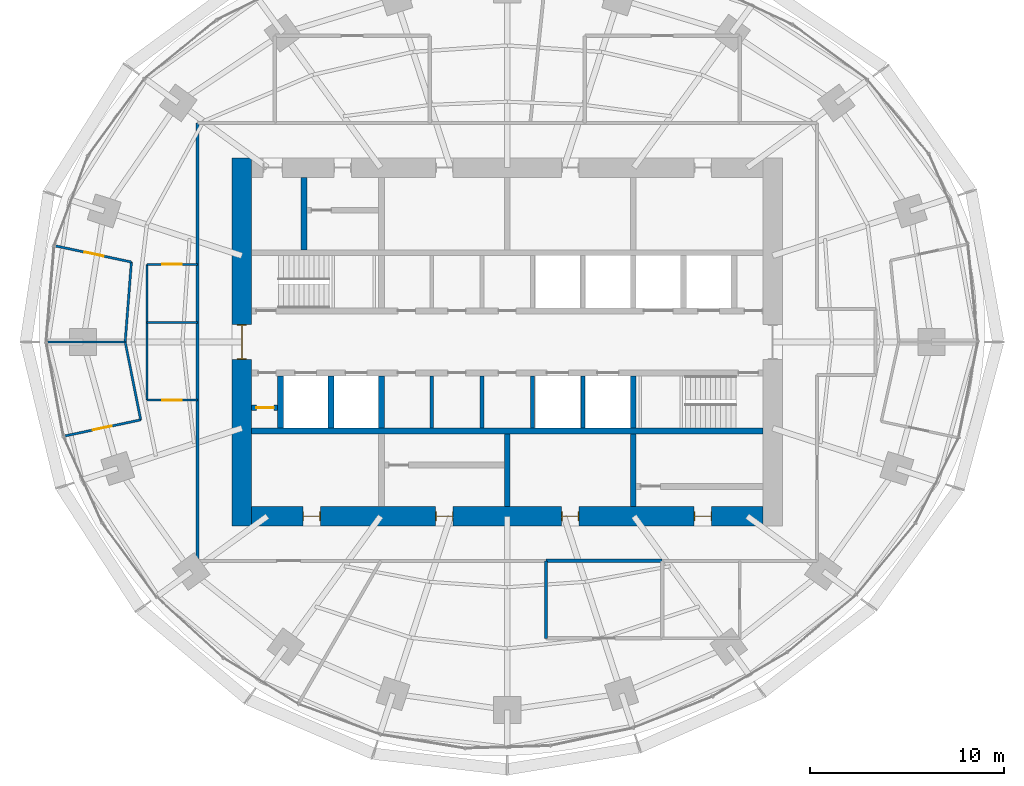
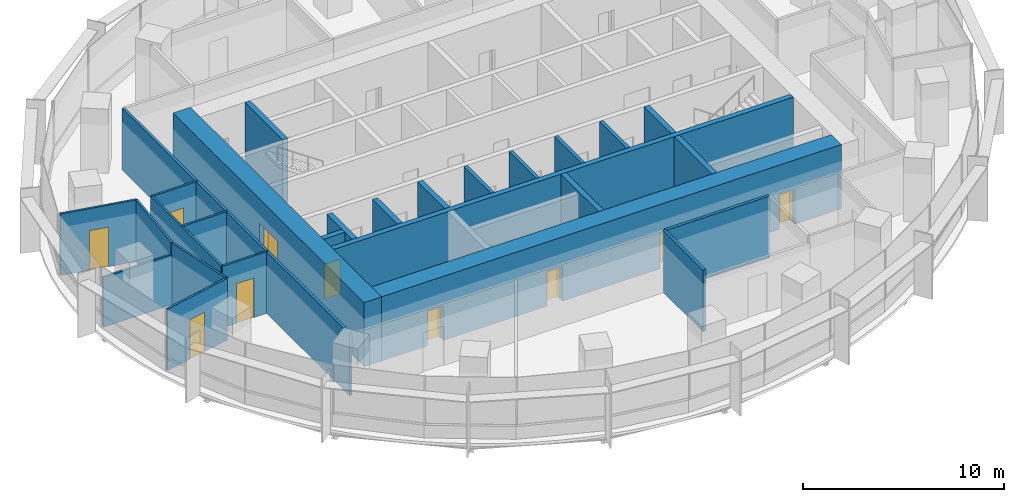
# One storey, part 10 of 14: 27 walls, 10 doors, 10 openings.
"""IFC4 building model written with IfcOpenShell, lengths in metres."""

from ifc_helpers import new_model, si_unit, direction, frame, frame_2d, origin, place, context, subcontext, project, spatial, rectangle, extrude, material, layer, layer_set, type_object, element, fill, save


model = new_model("IFC4")

# Units and contexts
model_context = context("Model", 3, precision=1e-05, world=origin(), true_north=direction((0.0, 1.0)))
body_context = subcontext(model_context, "Body", "Model", "MODEL_VIEW")
ifc_project = project(units=[si_unit("LENGTHUNIT", "METRE"), si_unit("AREAUNIT", "SQUARE_METRE"), si_unit("VOLUMEUNIT", "CUBIC_METRE"), si_unit("PLANEANGLEUNIT", "RADIAN"), si_unit("MASSUNIT", "GRAM", prefix="KILO")], contexts=[model_context])

# Site, building, storey
site_placement = place(None, origin())
site = spatial("IfcSite", under=ifc_project, at=site_placement, CompositionType="ELEMENT")
building_placement = place(site_placement, origin())
building = spatial("IfcBuilding", under=site, at=building_placement, Name="Marramba Exchange Tower", CompositionType="ELEMENT")
storey_placement = place(building_placement, frame((0.0, 0.0, 176.0)))
storey = spatial("IfcBuildingStorey", under=building, at=storey_placement, Name="L42", CompositionType="ELEMENT", Elevation=176.0)

# Walls
ifc_material_1 = material(Name="Plasterboard on staggered double steel studs, acoustic insulation", Category="steel")
ifc_layer_1 = layer(ifc_material_1, 0.169921875)
ifc_layer_set_1 = layer_set([ifc_layer_1], Name="Acoustic partition 170")
wall_type_1 = type_object("IfcWallType", Name="Acoustic partition 170", PredefinedType="PARTITIONING", material=ifc_layer_set_1)
wall_1_placement = place(storey_placement, frame((2.0, -11.300048828125, 0.0), z_axis=(0.0, 0.0, 1.0), x_axis=(0.0, -1.0, 0.0)))
element("IfcWall", 1, at=wall_1_placement, inside=storey, type_object=wall_type_1, Name="Acoustic partition L42 06", PredefinedType="PARTITIONING", context=body_context, shape_type="SweptSolid", body=[
    extrude(rectangle(XDim=4.0, YDim=0.169921875, at=frame_2d((2.0, 0.0))), origin(), (0.0, 0.0, 1.0), 3.739990234375),
])
wall_2_placement = place(storey_placement, frame((8.0, -11.300048828125, 0.0), z_axis=(0.0, 0.0, 1.0), x_axis=(-1.0, 0.0, 0.0)))
element("IfcWall", 2, at=wall_2_placement, inside=storey, type_object=wall_type_1, Name="Acoustic partition L42 08", PredefinedType="PARTITIONING", context=body_context, shape_type="SweptSolid", body=[
    extrude(rectangle(XDim=6.0, YDim=0.169921875, at=frame_2d((3.0, 0.0))), origin(), (0.0, 0.0, 1.0), 3.739990234375),
])
ifc_material_2 = material(Name="Concrete N50", Category="concrete")
ifc_layer_2 = layer(ifc_material_2, 0.199951171875)
ifc_layer_set_2 = layer_set([ifc_layer_2], Name="Core shaft wall 200")
wall_type_2 = type_object("IfcWallType", Name="Core shaft wall 200", PredefinedType="SHEAR", material=ifc_layer_set_2)
for number, where, z_axis, x_axis, name in (
    (3, (-3.89990234375, -1.75, 0.0), (0.0, 0.0, 1.0), (0.0, -1.0, 0.0), "Core wall SHS1 L42"),
    (4, (-1.300048828125, -1.75, 0.0), (0.0, 0.0, 1.0), (0.0, -1.0, 0.0), "Core wall SHS2 L42"),
    (5, (1.300048828125, -1.75, 0.0), (0.0, 0.0, 1.0), (0.0, -1.0, 0.0), "Core wall SHS3 L42"),
    (6, (3.89990234375, -1.75, 0.0), (0.0, 0.0, 1.0), (0.0, -1.0, 0.0), "Core wall SHS4 L42"),
):
    element("IfcWall", number, at=place(storey_placement, frame(where, z_axis=z_axis, x_axis=x_axis)), inside=storey, type_object=wall_type_2, Name=name, PredefinedType="SHEAR", context=body_context, shape_type="SweptSolid", body=[
        extrude(rectangle(XDim=2.699951171875, YDim=0.199951171875, at=frame_2d((1.35009765625, 0.0))), origin(), (0.0, 0.0, 1.0), 3.89990234375),
    ])

# Wall, openings, doors
ifc_layer_3 = layer(ifc_material_2, 1.0)
ifc_layer_set_3 = layer_set([ifc_layer_3], Name="Core wall 1000")
wall_type_3 = type_object("IfcWallType", Name="Core wall 1000", PredefinedType="SHEAR", material=ifc_layer_set_3)
wall_3_placement = place(storey_placement, frame((-13.199951171875, -9.0, 0.0), z_axis=(0.0, 0.0, 1.0), x_axis=(1.0, 0.0, 0.0)))
wall_3 = element("IfcWall", 7, at=wall_3_placement, inside=storey, type_object=wall_type_3, Name="Core wall S L42", PredefinedType="SHEAR", context=body_context, shape_type="SweptSolid", body=[
    extrude(rectangle(XDim=26.39990234375, YDim=1.0, at=frame_2d((13.199951171875, 0.0))), origin(), (0.0, 0.0, 1.0), 3.89990234375),
])
opening_1_placement = place(wall_3_placement, frame((2.64990234375, 0.0, 0.0)))
opening_1 = element("IfcOpeningElement", 8, at=opening_1_placement, cuts=wall_3, Name="Opening D5", PredefinedType="OPENING", context=body_context, shape_type="SweptSolid", body=[
    extrude(rectangle(XDim=0.89990234375, YDim=2.10009765625, at=frame_2d((0.449951171875, 1.050048828125))), frame((0.0, 0.510009765625, 0.0), z_axis=(0.0, -1.0, 0.0), x_axis=(1.0, 0.0, 0.0)), (0.0, 0.0, 1.0), 1.02001953125),
])
opening_2_placement = place(wall_3_placement, frame((9.5, 0.0, 0.0)))
opening_2 = element("IfcOpeningElement", 9, at=opening_2_placement, cuts=wall_3, Name="Opening D5", PredefinedType="OPENING", context=body_context, shape_type="SweptSolid", body=[
    extrude(rectangle(XDim=0.89990234375, YDim=2.10009765625, at=frame_2d((0.449951171875, 1.050048828125))), frame((0.0, 0.510009765625, 0.0), z_axis=(0.0, -1.0, 0.0), x_axis=(1.0, 0.0, 0.0)), (0.0, 0.0, 1.0), 1.02001953125),
])
opening_3_placement = place(wall_3_placement, frame((16.0, 0.0, 0.0)))
opening_3 = element("IfcOpeningElement", 10, at=opening_3_placement, cuts=wall_3, Name="Opening D5", PredefinedType="OPENING", context=body_context, shape_type="SweptSolid", body=[
    extrude(rectangle(XDim=0.89990234375, YDim=2.10009765625, at=frame_2d((0.449951171875, 1.050048828125))), frame((0.0, 0.510009765625, 0.0), z_axis=(0.0, -1.0, 0.0), x_axis=(1.0, 0.0, 0.0)), (0.0, 0.0, 1.0), 1.02001953125),
])
opening_4_placement = place(wall_3_placement, frame((22.85009765625, 0.0, 0.0)))
opening_4 = element("IfcOpeningElement", 11, at=opening_4_placement, cuts=wall_3, Name="Opening D5", PredefinedType="OPENING", context=body_context, shape_type="SweptSolid", body=[
    extrude(rectangle(XDim=0.89990234375, YDim=2.10009765625, at=frame_2d((0.449951171875, 1.050048828125))), frame((0.0, 0.510009765625, 0.0), z_axis=(0.0, -1.0, 0.0), x_axis=(1.0, 0.0, 0.0)), (0.0, 0.0, 1.0), 1.02001953125),
])
ifc_material_3 = material(Name="Steel-framed door", Category="steel")
door_type_1 = type_object("IfcDoorType", Name="Service door 900x2100", OperationType="SINGLE_SWING_LEFT", PredefinedType="DOOR", material=ifc_material_3)
door_1_placement = place(opening_1_placement, origin())
door_1 = element("IfcDoor", 12, at=door_1_placement, inside=storey, type_object=door_type_1, Name="D5 ahu L42", OperationType="SINGLE_SWING_LEFT", OverallHeight=2.10009765625, OverallWidth=0.89990234375, PredefinedType="DOOR", context=body_context, shape_type="SweptSolid", body=[
    extrude(rectangle(XDim=0.81982421875, YDim=2.06005859375, at=frame_2d((0.449951171875, 1.030029296875))), frame((0.0, 0.02490234375, 0.0), z_axis=(0.0, -1.0, 0.0), x_axis=(1.0, 0.0, 0.0)), (0.0, 0.0, 1.0), 0.050048828125),
    extrude(rectangle(XDim=0.04, YDim=2.10009765625, at=frame_2d((0.02001953125, 1.050048828125))), frame((0.0, 0.25, 0.0), z_axis=(0.0, -1.0, 0.0), x_axis=(1.0, 0.0, 0.0)), (0.0, 0.0, 1.0), 0.5),
    extrude(rectangle(XDim=0.04, YDim=2.10009765625, at=frame_2d((0.8798828125, 1.050048828125))), frame((0.0, 0.25, 0.0), z_axis=(0.0, -1.0, 0.0), x_axis=(1.0, 0.0, 0.0)), (0.0, 0.0, 1.0), 0.5),
    extrude(rectangle(XDim=0.81982421875, YDim=0.04, at=frame_2d((0.449951171875, 2.080078125))), frame((0.0, 0.25, 0.0), z_axis=(0.0, -1.0, 0.0), x_axis=(1.0, 0.0, 0.0)), (0.0, 0.0, 1.0), 0.5),
])
fill(opening_1, door_1)
door_2_placement = place(opening_2_placement, origin())
door_2 = element("IfcDoor", 13, at=door_2_placement, inside=storey, type_object=door_type_1, Name="D5 store L42", OperationType="SINGLE_SWING_RIGHT", OverallHeight=2.10009765625, OverallWidth=0.89990234375, PredefinedType="DOOR", context=body_context, shape_type="SweptSolid", body=[
    extrude(rectangle(XDim=0.81982421875, YDim=2.06005859375, at=frame_2d((0.449951171875, 1.030029296875))), frame((0.0, 0.02490234375, 0.0), z_axis=(0.0, -1.0, 0.0), x_axis=(1.0, 0.0, 0.0)), (0.0, 0.0, 1.0), 0.050048828125),
    extrude(rectangle(XDim=0.04, YDim=2.10009765625, at=frame_2d((0.02001953125, 1.050048828125))), frame((0.0, 0.25, 0.0), z_axis=(0.0, -1.0, 0.0), x_axis=(1.0, 0.0, 0.0)), (0.0, 0.0, 1.0), 0.5),
    extrude(rectangle(XDim=0.04, YDim=2.10009765625, at=frame_2d((0.8798828125, 1.050048828125))), frame((0.0, 0.25, 0.0), z_axis=(0.0, -1.0, 0.0), x_axis=(1.0, 0.0, 0.0)), (0.0, 0.0, 1.0), 0.5),
    extrude(rectangle(XDim=0.81982421875, YDim=0.04, at=frame_2d((0.449951171875, 2.080078125))), frame((0.0, 0.25, 0.0), z_axis=(0.0, -1.0, 0.0), x_axis=(1.0, 0.0, 0.0)), (0.0, 0.0, 1.0), 0.5),
])
fill(opening_2, door_2)
door_3_placement = place(opening_3_placement, origin())
door_3 = element("IfcDoor", 14, at=door_3_placement, inside=storey, type_object=door_type_1, Name="D5 switch L42", OperationType="SINGLE_SWING_RIGHT", OverallHeight=2.10009765625, OverallWidth=0.89990234375, PredefinedType="DOOR", context=body_context, shape_type="SweptSolid", body=[
    extrude(rectangle(XDim=0.81982421875, YDim=2.06005859375, at=frame_2d((0.449951171875, 1.030029296875))), frame((0.0, 0.02490234375, 0.0), z_axis=(0.0, -1.0, 0.0), x_axis=(1.0, 0.0, 0.0)), (0.0, 0.0, 1.0), 0.050048828125),
    extrude(rectangle(XDim=0.04, YDim=2.10009765625, at=frame_2d((0.02001953125, 1.050048828125))), frame((0.0, 0.25, 0.0), z_axis=(0.0, -1.0, 0.0), x_axis=(1.0, 0.0, 0.0)), (0.0, 0.0, 1.0), 0.5),
    extrude(rectangle(XDim=0.04, YDim=2.10009765625, at=frame_2d((0.8798828125, 1.050048828125))), frame((0.0, 0.25, 0.0), z_axis=(0.0, -1.0, 0.0), x_axis=(1.0, 0.0, 0.0)), (0.0, 0.0, 1.0), 0.5),
    extrude(rectangle(XDim=0.81982421875, YDim=0.04, at=frame_2d((0.449951171875, 2.080078125))), frame((0.0, 0.25, 0.0), z_axis=(0.0, -1.0, 0.0), x_axis=(1.0, 0.0, 0.0)), (0.0, 0.0, 1.0), 0.5),
])
fill(opening_3, door_3)
door_4_placement = place(opening_4_placement, origin())
door_4 = element("IfcDoor", 15, at=door_4_placement, inside=storey, type_object=door_type_1, Name="D5 cstore L42", OperationType="SINGLE_SWING_RIGHT", OverallHeight=2.10009765625, OverallWidth=0.89990234375, PredefinedType="DOOR", context=body_context, shape_type="SweptSolid", body=[
    extrude(rectangle(XDim=0.81982421875, YDim=2.06005859375, at=frame_2d((0.449951171875, 1.030029296875))), frame((0.0, 0.02490234375, 0.0), z_axis=(0.0, -1.0, 0.0), x_axis=(1.0, 0.0, 0.0)), (0.0, 0.0, 1.0), 0.050048828125),
    extrude(rectangle(XDim=0.04, YDim=2.10009765625, at=frame_2d((0.02001953125, 1.050048828125))), frame((0.0, 0.25, 0.0), z_axis=(0.0, -1.0, 0.0), x_axis=(1.0, 0.0, 0.0)), (0.0, 0.0, 1.0), 0.5),
    extrude(rectangle(XDim=0.04, YDim=2.10009765625, at=frame_2d((0.8798828125, 1.050048828125))), frame((0.0, 0.25, 0.0), z_axis=(0.0, -1.0, 0.0), x_axis=(1.0, 0.0, 0.0)), (0.0, 0.0, 1.0), 0.5),
    extrude(rectangle(XDim=0.81982421875, YDim=0.04, at=frame_2d((0.449951171875, 2.080078125))), frame((0.0, 0.25, 0.0), z_axis=(0.0, -1.0, 0.0), x_axis=(1.0, 0.0, 0.0)), (0.0, 0.0, 1.0), 0.5),
])
fill(opening_4, door_4)

# Wall, opening, door
wall_4_placement = place(storey_placement, frame((-13.699951171875, 9.5, 0.0), z_axis=(0.0, 0.0, 1.0), x_axis=(0.0, -1.0, 0.0)))
wall_4 = element("IfcWall", 16, at=wall_4_placement, inside=storey, type_object=wall_type_3, Name="Core wall W L42", PredefinedType="SHEAR", context=body_context, shape_type="SweptSolid", body=[
    extrude(rectangle(XDim=19.0, YDim=1.0, at=frame_2d((9.5, 0.0))), origin(), (0.0, 0.0, 1.0), 3.89990234375),
])
opening_5_placement = place(wall_4_placement, frame((8.60009765625, 0.0, 0.0)))
opening_5 = element("IfcOpeningElement", 17, at=opening_5_placement, cuts=wall_4, Name="Opening D1", PredefinedType="OPENING", context=body_context, shape_type="SweptSolid", body=[
    extrude(rectangle(XDim=1.800048828125, YDim=2.39990234375, at=frame_2d((0.89990234375, 1.199951171875))), frame((0.0, 0.510009765625, 0.0), z_axis=(0.0, -1.0, 0.0), x_axis=(1.0, 0.0, 0.0)), (0.0, 0.0, 1.0), 1.02001953125),
])
door_type_2 = type_object("IfcDoorType", Name="Lobby exit door 1800x2400", OperationType="DOUBLE_DOOR_SINGLE_SWING", PredefinedType="DOOR", material=ifc_material_3)
door_5_placement = place(opening_5_placement, origin())
door_5 = element("IfcDoor", 18, at=door_5_placement, inside=storey, type_object=door_type_2, Name="D1 lobby exit west L42", OperationType="DOUBLE_DOOR_SINGLE_SWING", OverallHeight=2.39990234375, OverallWidth=1.800048828125, PredefinedType="DOOR", context=body_context, shape_type="SweptSolid", body=[
    extrude(rectangle(XDim=1.719970703125, YDim=2.35986328125, at=frame_2d((0.89990234375, 1.179931640625))), frame((0.0, 0.02490234375, 0.0), z_axis=(0.0, -1.0, 0.0), x_axis=(1.0, 0.0, 0.0)), (0.0, 0.0, 1.0), 0.050048828125),
    extrude(rectangle(XDim=0.04, YDim=2.39990234375, at=frame_2d((0.02001953125, 1.199951171875))), frame((0.0, 0.25, 0.0), z_axis=(0.0, -1.0, 0.0), x_axis=(1.0, 0.0, 0.0)), (0.0, 0.0, 1.0), 0.5),
    extrude(rectangle(XDim=0.04, YDim=2.39990234375, at=frame_2d((1.780029296875, 1.199951171875))), frame((0.0, 0.25, 0.0), z_axis=(0.0, -1.0, 0.0), x_axis=(1.0, 0.0, 0.0)), (0.0, 0.0, 1.0), 0.5),
    extrude(rectangle(XDim=1.719970703125, YDim=0.04, at=frame_2d((0.89990234375, 2.3798828125))), frame((0.0, 0.25, 0.0), z_axis=(0.0, -1.0, 0.0), x_axis=(1.0, 0.0, 0.0)), (0.0, 0.0, 1.0), 0.5),
])
fill(opening_5, door_5)

# Walls
ifc_layer_4 = layer(ifc_material_2, 0.300048828125)
ifc_layer_set_4 = layer_set([ifc_layer_4], Name="Core wall 300")
wall_type_4 = type_object("IfcWallType", Name="Core wall 300", PredefinedType="SHEAR", material=ifc_layer_set_4)
wall_5_placement = place(storey_placement, frame((-13.199951171875, -4.60009765625, 0.0), z_axis=(0.0, 0.0, 1.0), x_axis=(1.0, 0.0, 0.0)))
element("IfcWall", 19, at=wall_5_placement, inside=storey, type_object=wall_type_4, Name="Core wall BS L42", PredefinedType="SHEAR", context=body_context, shape_type="SweptSolid", body=[
    extrude(rectangle(XDim=26.39990234375, YDim=0.300048828125, at=frame_2d((13.199951171875, 0.0))), origin(), (0.0, 0.0, 1.0), 3.89990234375),
])
for number, where, z_axis, x_axis, name in (
    (20, (-6.5, -1.75, 0.0), (0.0, 0.0, 1.0), (0.0, -1.0, 0.0), "Core wall X0Sa L42"),
    (21, (6.5, -1.75, 0.0), (0.0, 0.0, 1.0), (0.0, -1.0, 0.0), "Core wall X1Sa L42"),
):
    element("IfcWall", number, at=place(storey_placement, frame(where, z_axis=z_axis, x_axis=x_axis)), inside=storey, type_object=wall_type_4, Name=name, PredefinedType="SHEAR", context=body_context, shape_type="SweptSolid", body=[
        extrude(rectangle(XDim=2.699951171875, YDim=0.300048828125, at=frame_2d((1.35009765625, 0.0))), origin(), (0.0, 0.0, 1.0), 3.89990234375),
    ])
for number, where, z_axis, x_axis, name in (
    (22, (6.5, -4.75, 0.0), (0.0, 0.0, 1.0), (0.0, -1.0, 0.0), "Core wall X1Sb L42"),
    (23, (0.0, -4.75, 0.0), (0.0, 0.0, 1.0), (0.0, -1.0, 0.0), "Core wall MS L42"),
    (24, (-10.5, 4.75, 0.0), (0.0, 0.0, 1.0), (0.0, 1.0, 0.0), "Core wall WD L42"),
):
    element("IfcWall", number, at=place(storey_placement, frame(where, z_axis=z_axis, x_axis=x_axis)), inside=storey, type_object=wall_type_4, Name=name, PredefinedType="SHEAR", context=body_context, shape_type="SweptSolid", body=[
        extrude(rectangle(XDim=3.75, YDim=0.300048828125, at=frame_2d((1.875, 0.0))), origin(), (0.0, 0.0, 1.0), 3.89990234375),
    ])
ifc_material_4 = material(Name="Core-filled concrete blockwork", Category="masonry")
ifc_layer_5 = layer(ifc_material_4, 0.300048828125)
ifc_layer_set_5 = layer_set([ifc_layer_5], Name="Lift shaft wall 300")
wall_type_5 = type_object("IfcWallType", Name="Lift shaft wall 300", PredefinedType="SOLIDWALL", material=ifc_layer_set_5)
for number, where, z_axis, x_axis, name in (
    (25, (-9.10009765625, -1.75, 0.0), (0.0, 0.0, 1.0), (0.0, -1.0, 0.0), "Lift shaft wall W1 L42"),
    (26, (-11.699951171875, -1.75, 0.0), (0.0, 0.0, 1.0), (0.0, -1.0, 0.0), "Lift shaft wall W2 L42"),
):
    element("IfcWall", number, at=place(storey_placement, frame(where, z_axis=z_axis, x_axis=x_axis)), inside=storey, type_object=wall_type_5, Name=name, PredefinedType="SOLIDWALL", context=body_context, shape_type="SweptSolid", body=[
        extrude(rectangle(XDim=2.699951171875, YDim=0.300048828125, at=frame_2d((1.35009765625, 0.0))), origin(), (0.0, 0.0, 1.0), 3.739990234375),
    ])
ifc_material_5 = material(Name="Plasterboard on steel studs", Category="steel")
ifc_layer_6 = layer(ifc_material_5, 0.1201171875)
ifc_layer_set_6 = layer_set([ifc_layer_6], Name="Partition 120")
wall_type_6 = type_object("IfcWallType", Name="Partition 120", PredefinedType="PARTITIONING", material=ifc_layer_set_6)
wall_6_placement = place(storey_placement, frame((-18.92236328125, -4.022216796875, 0.0), z_axis=(0.0, 0.0, 1.0), x_axis=(-0.195944435797, 0.980614999926, 0.0)))
element("IfcWall", 27, at=wall_6_placement, inside=storey, type_object=wall_type_6, Name="Partition L42 01", PredefinedType="PARTITIONING", context=body_context, shape_type="SweptSolid", body=[
    extrude(rectangle(XDim=4.101806640625, YDim=0.1201171875, at=frame_2d((2.05078125, 0.0))), origin(), (0.0, 0.0, 1.0), 3.739990234375),
])

# Wall, opening, door
wall_7_placement = place(storey_placement, frame((-18.60009765625, -3.0, 0.0), z_axis=(0.0, 0.0, 1.0), x_axis=(1.0, 0.0, 0.0)))
wall_7 = element("IfcWall", 28, at=wall_7_placement, inside=storey, type_object=wall_type_6, Name="Partition L42 02", PredefinedType="PARTITIONING", context=body_context, shape_type="SweptSolid", body=[
    extrude(rectangle(XDim=2.60009765625, YDim=0.1201171875, at=frame_2d((1.300048828125, 0.0))), origin(), (0.0, 0.0, 1.0), 3.739990234375),
])
opening_6_placement = place(wall_7_placement, frame((0.800048828125, 0.0, 0.0)))
opening_6 = element("IfcOpeningElement", 29, at=opening_6_placement, cuts=wall_7, Name="Opening D9", PredefinedType="OPENING", context=body_context, shape_type="SweptSolid", body=[
    extrude(rectangle(XDim=1.0, YDim=2.39990234375, at=frame_2d((0.5, 1.199951171875))), frame((0.0, 0.070068359375, 0.0), z_axis=(0.0, -1.0, 0.0), x_axis=(1.0, 0.0, 0.0)), (0.0, 0.0, 1.0), 0.14013671875),
])
ifc_material_6 = material(Name="Timber door", Category="wood")
door_type_3 = type_object("IfcDoorType", Name="Room door 1000x2400", OperationType="SINGLE_SWING_LEFT", PredefinedType="DOOR", material=ifc_material_6)
door_6_placement = place(opening_6_placement, origin())
door_6 = element("IfcDoor", 30, at=door_6_placement, inside=storey, type_object=door_type_3, Name="D9 Pantry 2 L42", OperationType="SINGLE_SWING_RIGHT", OverallHeight=2.39990234375, OverallWidth=1.0, PredefinedType="DOOR", context=body_context, shape_type="SweptSolid", body=[
    extrude(rectangle(XDim=1.0, YDim=2.39990234375, at=frame_2d((0.5, 1.199951171875))), frame((0.0, 0.02490234375, 0.0), z_axis=(0.0, -1.0, 0.0), x_axis=(1.0, 0.0, 0.0)), (0.0, 0.0, 1.0), 0.050048828125),
])
fill(opening_6, door_6)

wall_8_placement = place(storey_placement, frame((-22.8349609375, -4.853759765625, 0.0), z_axis=(0.0, 0.0, 1.0), x_axis=(0.978152955943, 0.207886494942, 0.0)))
wall_8 = element("IfcWall", 31, at=wall_8_placement, inside=storey, type_object=wall_type_6, Name="Partition L42 03", PredefinedType="PARTITIONING", context=body_context, shape_type="SweptSolid", body=[
    extrude(rectangle(XDim=4.0, YDim=0.1201171875, at=frame_2d((2.0, 0.0))), origin(), (0.0, 0.0, 1.0), 3.739990234375),
])
opening_7_placement = place(wall_8_placement, frame((1.47412109375, 0.0, 0.0)))
opening_7 = element("IfcOpeningElement", 32, at=opening_7_placement, cuts=wall_8, Name="Opening D9", PredefinedType="OPENING", context=body_context, shape_type="SweptSolid", body=[
    extrude(rectangle(XDim=1.0, YDim=2.39990234375, at=frame_2d((0.5, 1.199951171875))), frame((0.0, 0.070068359375, 0.0), z_axis=(0.0, -1.0, 0.0), x_axis=(1.0, 0.0, 0.0)), (0.0, 0.0, 1.0), 0.14013671875),
])
door_7_placement = place(opening_7_placement, origin())
door_7 = element("IfcDoor", 33, at=door_7_placement, inside=storey, type_object=door_type_3, Name="D9 Office 4 L42", OperationType="SINGLE_SWING_RIGHT", OverallHeight=2.39990234375, OverallWidth=1.0, PredefinedType="DOOR", context=body_context, shape_type="SweptSolid", body=[
    extrude(rectangle(XDim=1.0, YDim=2.39990234375, at=frame_2d((0.5, 1.199951171875))), frame((0.0, 0.02490234375, 0.0), z_axis=(0.0, -1.0, 0.0), x_axis=(1.0, 0.0, 0.0)), (0.0, 0.0, 1.0), 0.050048828125),
])
fill(opening_7, door_7)

wall_9_placement = place(storey_placement, frame((-16.0, 4.0, 0.0), z_axis=(0.0, 0.0, 1.0), x_axis=(-1.0, 0.0, 0.0)))
wall_9 = element("IfcWall", 34, at=wall_9_placement, inside=storey, type_object=wall_type_6, Name="Partition L42 35", PredefinedType="PARTITIONING", context=body_context, shape_type="SweptSolid", body=[
    extrude(rectangle(XDim=2.60009765625, YDim=0.1201171875, at=frame_2d((1.300048828125, 0.0))), origin(), (0.0, 0.0, 1.0), 3.739990234375),
])
opening_8_placement = place(wall_9_placement, frame((0.800048828125, 0.0, 0.0)))
opening_8 = element("IfcOpeningElement", 35, at=opening_8_placement, cuts=wall_9, Name="Opening D9", PredefinedType="OPENING", context=body_context, shape_type="SweptSolid", body=[
    extrude(rectangle(XDim=1.0, YDim=2.39990234375, at=frame_2d((0.5, 1.199951171875))), frame((0.0, 0.070068359375, 0.0), z_axis=(0.0, -1.0, 0.0), x_axis=(1.0, 0.0, 0.0)), (0.0, 0.0, 1.0), 0.14013671875),
])
door_8_placement = place(opening_8_placement, origin())
door_8 = element("IfcDoor", 36, at=door_8_placement, inside=storey, type_object=door_type_3, Name="D9 Print Room L42", OperationType="SINGLE_SWING_RIGHT", OverallHeight=2.39990234375, OverallWidth=1.0, PredefinedType="DOOR", context=body_context, shape_type="SweptSolid", body=[
    extrude(rectangle(XDim=1.0, YDim=2.39990234375, at=frame_2d((0.5, 1.199951171875))), frame((0.0, 0.02490234375, 0.0), z_axis=(0.0, -1.0, 0.0), x_axis=(1.0, 0.0, 0.0)), (0.0, 0.0, 1.0), 0.050048828125),
])
fill(opening_8, door_8)

wall_10_placement = place(storey_placement, frame((-19.404541015625, 4.12451171875, 0.0), z_axis=(0.0, 0.0, 1.0), x_axis=(-0.978140543132, 0.207944891454, 0.0)))
wall_10 = element("IfcWall", 37, at=wall_10_placement, inside=storey, type_object=wall_type_6, Name="Partition L42 36", PredefinedType="PARTITIONING", context=body_context, shape_type="SweptSolid", body=[
    extrude(rectangle(XDim=4.0, YDim=0.1201171875, at=frame_2d((2.0, 0.0))), origin(), (0.0, 0.0, 1.0), 3.739990234375),
])
opening_9_placement = place(wall_10_placement, frame((1.47412109375, 0.0, 0.0)))
opening_9 = element("IfcOpeningElement", 38, at=opening_9_placement, cuts=wall_10, Name="Opening D9", PredefinedType="OPENING", context=body_context, shape_type="SweptSolid", body=[
    extrude(rectangle(XDim=1.0, YDim=2.39990234375, at=frame_2d((0.5, 1.199951171875))), frame((0.0, 0.070068359375, 0.0), z_axis=(0.0, -1.0, 0.0), x_axis=(1.0, 0.0, 0.0)), (0.0, 0.0, 1.0), 0.14013671875),
])
door_9_placement = place(opening_9_placement, origin())
door_9 = element("IfcDoor", 39, at=door_9_placement, inside=storey, type_object=door_type_3, Name="D9 Office 3 L42", OperationType="SINGLE_SWING_RIGHT", OverallHeight=2.39990234375, OverallWidth=1.0, PredefinedType="DOOR", context=body_context, shape_type="SweptSolid", body=[
    extrude(rectangle(XDim=1.0, YDim=2.39990234375, at=frame_2d((0.5, 1.199951171875))), frame((0.0, 0.02490234375, 0.0), z_axis=(0.0, -1.0, 0.0), x_axis=(1.0, 0.0, 0.0)), (0.0, 0.0, 1.0), 0.050048828125),
])
fill(opening_9, door_9)

# Walls
wall_11_placement = place(storey_placement, frame((-19.72607421875, 0.0, 0.0), z_axis=(0.0, 0.0, 1.0), x_axis=(0.077720864456, 0.996975158782, 0.0)))
element("IfcWall", 40, at=wall_11_placement, inside=storey, type_object=wall_type_6, Name="Partition L42 37", PredefinedType="PARTITIONING", context=body_context, shape_type="SweptSolid", body=[
    extrude(rectangle(XDim=4.136962890625, YDim=0.1201171875, at=frame_2d((2.068359375, 0.0))), origin(), (0.0, 0.0, 1.0), 3.739990234375),
])
wall_12_placement = place(storey_placement, frame((-18.60009765625, 1.0, 0.0), z_axis=(0.0, 0.0, 1.0), x_axis=(1.0, 0.0, 0.0)))
element("IfcWall", 41, at=wall_12_placement, inside=storey, type_object=wall_type_6, Name="Partition L42 38", PredefinedType="PARTITIONING", context=body_context, shape_type="SweptSolid", body=[
    extrude(rectangle(XDim=2.60009765625, YDim=0.1201171875, at=frame_2d((1.300048828125, 0.0))), origin(), (0.0, 0.0, 1.0), 3.739990234375),
])
wall_13_placement = place(storey_placement, frame((-18.60009765625, 4.0, 0.0), z_axis=(0.0, 0.0, 1.0), x_axis=(0.0, -1.0, 0.0)))
element("IfcWall", 42, at=wall_13_placement, inside=storey, type_object=wall_type_6, Name="Partition L42 39", PredefinedType="PARTITIONING", context=body_context, shape_type="SweptSolid", body=[
    extrude(rectangle(XDim=7.0, YDim=0.1201171875, at=frame_2d((3.5, 0.0))), origin(), (0.0, 0.0, 1.0), 3.739990234375),
])
wall_14_placement = place(storey_placement, frame((-19.72607421875, 0.0, 0.0), z_axis=(0.0, 0.0, 1.0), x_axis=(-1.0, 0.0, 0.0)))
element("IfcWall", 43, at=wall_14_placement, inside=storey, type_object=wall_type_6, Name="Partition L42 40", PredefinedType="PARTITIONING", context=body_context, shape_type="SweptSolid", body=[
    extrude(rectangle(XDim=4.0, YDim=0.1201171875, at=frame_2d((2.0, 0.0))), origin(), (0.0, 0.0, 1.0), 3.0400390625),
])

# Wall, opening, door
ifc_layer_7 = layer(ifc_material_4, 0.300048828125)
ifc_layer_set_7 = layer_set([ifc_layer_7], Name="Riser enclosure wall 300")
wall_type_7 = type_object("IfcWallType", Name="Riser enclosure wall 300", PredefinedType="SOLIDWALL", material=ifc_layer_set_7)
wall_15_placement = place(storey_placement, frame((-13.199951171875, -3.39990234375, 0.0), z_axis=(0.0, 0.0, 1.0), x_axis=(1.0, 0.0, 0.0)))
wall_15 = element("IfcWall", 44, at=wall_15_placement, inside=storey, type_object=wall_type_7, Name="Riser enclosure wall L42", PredefinedType="SOLIDWALL", context=body_context, shape_type="SweptSolid", body=[
    extrude(rectangle(XDim=1.349853515625, YDim=0.300048828125, at=frame_2d((0.6748046875, 0.0))), origin(), (0.0, 0.0, 1.0), 3.739990234375),
])
opening_10_placement = place(wall_15_placement, frame((0.25, 0.0, 0.0)))
opening_10 = element("IfcOpeningElement", 45, at=opening_10_placement, cuts=wall_15, Name="Opening D5", PredefinedType="OPENING", context=body_context, shape_type="SweptSolid", body=[
    extrude(rectangle(XDim=0.89990234375, YDim=2.10009765625, at=frame_2d((0.449951171875, 1.050048828125))), frame((0.0, 0.159912109375, 0.0), z_axis=(0.0, -1.0, 0.0), x_axis=(1.0, 0.0, 0.0)), (0.0, 0.0, 1.0), 0.320068359375),
])
door_10_placement = place(opening_10_placement, frame((0.89990234375, 0.0, 0.0), z_axis=(0.0, 0.0, 1.0), x_axis=(-1.0, 0.0, 0.0)))
door_10 = element("IfcDoor", 46, at=door_10_placement, inside=storey, type_object=door_type_1, Name="D5 electrical riser back L42", OperationType="SINGLE_SWING_LEFT", OverallHeight=2.10009765625, OverallWidth=0.89990234375, PredefinedType="DOOR", context=body_context, shape_type="SweptSolid", body=[
    extrude(rectangle(XDim=0.89990234375, YDim=2.10009765625, at=frame_2d((0.449951171875, 1.050048828125))), frame((0.0, 0.025146484375, 0.0), z_axis=(0.0, -1.0, 0.0), x_axis=(1.0, 0.0, 0.0)), (0.0, 0.0, 1.0), 0.050048828125),
])
fill(opening_10, door_10)

# Wall
ifc_material_7 = material(Name="Fire-rated plasterboard on steel studs, acoustic insulation", Category="steel")
ifc_layer_8 = layer(ifc_material_7, 0.14990234375)
ifc_layer_set_8 = layer_set([ifc_layer_8], Name="Tenancy wall 150")
wall_type_8 = type_object("IfcWallType", Name="Tenancy wall 150", PredefinedType="PARTITIONING", material=ifc_layer_set_8)
wall_16_placement = place(storey_placement, frame((-16.0, 11.300048828125, 0.0), z_axis=(0.0, 0.0, 1.0), x_axis=(0.0, -1.0, 0.0)))
element("IfcWall", 47, at=wall_16_placement, inside=storey, type_object=wall_type_8, Name="Tenancy wall L42 41", PredefinedType="PARTITIONING", context=body_context, shape_type="SweptSolid", body=[
    extrude(rectangle(XDim=22.60009765625, YDim=0.14990234375, at=frame_2d((11.300048828125, 0.0))), origin(), (0.0, 0.0, 1.0), 3.739990234375),
])

save(model, "model.ifc")
